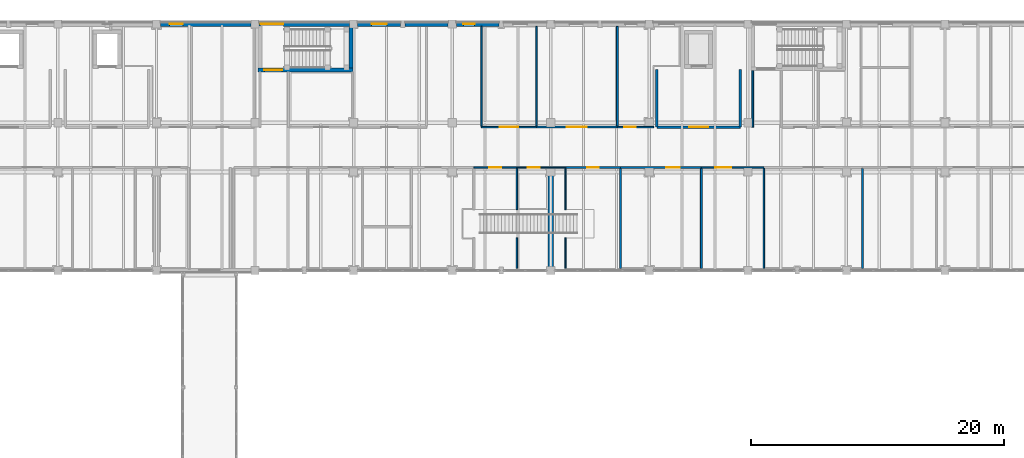
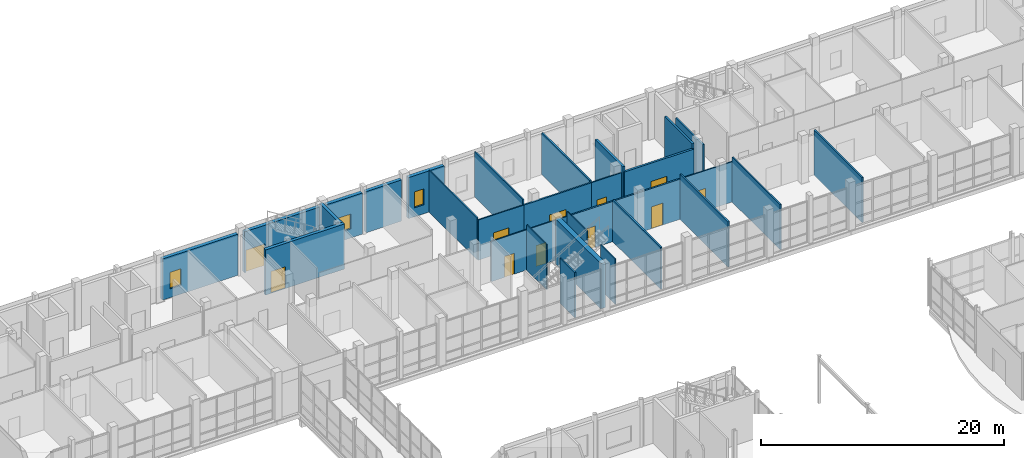
# One storey, part 101 of 131: 31 walls, 11 doors, 3 windows, 14 openings.
"""IFC4 building model written with IfcOpenShell, lengths in metres."""

from ifc_helpers import new_model, si_unit, direction, frame, frame_2d, origin, place, context, subcontext, project, spatial, rectangle, extrude, material, layer, layer_set, type_object, element, fill, save


model = new_model("IFC4")

# Units and contexts
model_context = context("Model", 3, precision=1e-05, world=origin(), true_north=direction((0.0, 1.0)))
body_context = subcontext(model_context, "Body", "Model", "MODEL_VIEW")
ifc_project = project(units=[si_unit("LENGTHUNIT", "METRE"), si_unit("AREAUNIT", "SQUARE_METRE"), si_unit("VOLUMEUNIT", "CUBIC_METRE"), si_unit("PLANEANGLEUNIT", "RADIAN"), si_unit("MASSUNIT", "GRAM", prefix="KILO")], contexts=[model_context])

# Site, building, storey
site_placement = place(None, origin())
site = spatial("IfcSite", under=ifc_project, at=site_placement, CompositionType="ELEMENT")
building_placement = place(site_placement, origin())
building = spatial("IfcBuilding", under=site, at=building_placement, Name="Celorna Specialist Clinic", CompositionType="ELEMENT")
storey_placement = place(building_placement, origin())
storey = spatial("IfcBuildingStorey", under=building, at=storey_placement, Name="L00", CompositionType="ELEMENT", Elevation=0.0)

# Wall
ifc_material_1 = material(Name="Concrete C40/50", Category="concrete")
ifc_layer_1 = layer(ifc_material_1, 0.449951171875, Name="Concrete C40/50")
ifc_layer_set_1 = layer_set([ifc_layer_1], Name="Concrete C40/50")
wall_type_1 = type_object("IfcWallType", Name="WT-04", PredefinedType="SHEAR", material=ifc_layer_set_1)
wall_1_placement = place(storey_placement, frame((101.39990234375, 96.68994140625, 0.0), z_axis=(0.0, 0.0, 1.0), x_axis=(0.0, 1.0, 0.0)))
element("IfcWall", 1, at=wall_1_placement, inside=storey, type_object=wall_type_1, Name="Structural RC shear wall WT-04 V4 L00", PredefinedType="SHEAR", context=body_context, shape_type="SweptSolid", body=[
    extrude(rectangle(XDim=7.4599609375, YDim=0.449951171875, at=frame_2d((3.72998046875, 0.0))), origin(), (0.0, 0.0, 1.0), 4.5400390625),
])

# Wall, opening, window
ifc_material_2 = material(Name="Pero Pinheiro Lioz limestone insulated masonry", Category="masonry")
ifc_layer_2 = layer(ifc_material_2, 0.340087890625, Name="Pero Pinheiro Lioz limestone insulated masonry")
ifc_layer_set_2 = layer_set([ifc_layer_2], Name="Pero Pinheiro Lioz limestone insulated masonry")
wall_type_2 = type_object("IfcWallType", Name="WT-07", PredefinedType="STANDARD", material=ifc_layer_set_2)
wall_2_placement = place(storey_placement, frame((70.52490234375, 116.0, 0.0), z_axis=(0.0, 0.0, 1.0), x_axis=(1.0, 0.0, 0.0)))
wall_2 = element("IfcWall", 2, at=wall_2_placement, inside=storey, type_object=wall_type_2, Name="External facade wall WT-07 #165", PredefinedType="STANDARD", context=body_context, shape_type="SweptSolid", body=[
    extrude(rectangle(XDim=7.150146484375, YDim=0.340087890625, at=frame_2d((3.5751953125, 0.0))), origin(), (0.0, 0.0, 1.0), 4.139892578125),
])
opening_1_placement = place(wall_2_placement, frame((0.70751953125, 0.0, 0.89990234375)))
opening_1 = element("IfcOpeningElement", 3, at=opening_1_placement, cuts=wall_2, Name="Opening WN-21", PredefinedType="OPENING", context=body_context, shape_type="SweptSolid", body=[
    extrude(rectangle(XDim=1.050048828125, YDim=1.64990234375, at=frame_2d((0.52490234375, 0.824951171875))), frame((0.0, 0.179931640625, 0.0), z_axis=(0.0, -1.0, 0.0), x_axis=(1.0, 0.0, 0.0)), (0.0, 0.0, 1.0), 0.360107421875),
])
ifc_material_3 = material(Name="Thermally broken aluminium triple-glazed window", Category="aluminium")
window_type_1 = type_object("IfcWindowType", Name="WN-21", PartitioningType="SINGLE_PANEL", PredefinedType="WINDOW", material=ifc_material_3)
window_1_placement = place(opening_1_placement, origin())
window_1 = element("IfcWindow", 4, at=window_1_placement, inside=storey, type_object=window_type_1, Name="Facade window WN-21 #60", OverallHeight=1.64990234375, OverallWidth=1.050048828125, PartitioningType="SINGLE_PANEL", PredefinedType="WINDOW", context=body_context, shape_type="SweptSolid", body=[
    extrude(rectangle(XDim=1.050048828125, YDim=1.64990234375, at=frame_2d((0.52490234375, 0.824951171875))), frame((0.0, 0.030029296875, 0.0), z_axis=(0.0, -1.0, 0.0), x_axis=(1.0, 0.0, 0.0)), (0.0, 0.0, 1.0), 0.06005859375),
])
fill(opening_1, window_1)

# Wall, opening, door
wall_3_placement = place(storey_placement, frame((78.324951171875, 116.0, 0.0), z_axis=(0.0, 0.0, 1.0), x_axis=(1.0, 0.0, 0.0)))
wall_3 = element("IfcWall", 5, at=wall_3_placement, inside=storey, type_object=wall_type_2, Name="External facade wall WT-07 #166", PredefinedType="STANDARD", context=body_context, shape_type="SweptSolid", body=[
    extrude(rectangle(XDim=7.150146484375, YDim=0.340087890625, at=frame_2d((3.5751953125, 0.0))), origin(), (0.0, 0.0, 1.0), 4.139892578125),
])
opening_2_placement = place(wall_3_placement, frame((0.1201171875, 0.0, 0.0)))
opening_2 = element("IfcOpeningElement", 6, at=opening_2_placement, cuts=wall_3, Name="Opening DR-14", PredefinedType="OPENING", context=body_context, shape_type="SweptSolid", body=[
    extrude(rectangle(XDim=1.800048828125, YDim=2.25, at=frame_2d((0.89990234375, 1.125))), frame((0.0, 0.179931640625, 0.0), z_axis=(0.0, -1.0, 0.0), x_axis=(1.0, 0.0, 0.0)), (0.0, 0.0, 1.0), 0.360107421875),
])
ifc_material_4 = material(Name="Glazed aluminium final exit double door", Category="aluminium")
door_type_1 = type_object("IfcDoorType", Name="DR-14", OperationType="DOUBLE_DOOR_SINGLE_SWING", PredefinedType="DOOR", material=ifc_material_4)
door_1_placement = place(opening_2_placement, origin())
door_1 = element("IfcDoor", 7, at=door_1_placement, inside=storey, type_object=door_type_1, Name="Pedestrian final exit E02", OperationType="DOUBLE_DOOR_SINGLE_SWING", OverallHeight=2.25, OverallWidth=1.800048828125, PredefinedType="DOOR", context=body_context, shape_type="SweptSolid", body=[
    extrude(rectangle(XDim=1.800048828125, YDim=2.25, at=frame_2d((0.89990234375, 1.125))), frame((0.0, 0.02490234375, 0.0), z_axis=(0.0, -1.0, 0.0), x_axis=(1.0, 0.0, 0.0)), (0.0, 0.0, 1.0), 0.050048828125),
])
fill(opening_2, door_1)

# Wall, opening, window
wall_4_placement = place(storey_placement, frame((86.125, 116.0, 0.0), z_axis=(0.0, 0.0, 1.0), x_axis=(1.0, 0.0, 0.0)))
wall_4 = element("IfcWall", 8, at=wall_4_placement, inside=storey, type_object=wall_type_2, Name="External facade wall WT-07 #167", PredefinedType="STANDARD", context=body_context, shape_type="SweptSolid", body=[
    extrude(rectangle(XDim=3.39990234375, YDim=0.340087890625, at=frame_2d((1.699951171875, 0.0))), origin(), (0.0, 0.0, 1.0), 4.139892578125),
])
opening_3_placement = place(wall_4_placement, frame((1.10009765625, 0.0, 0.89990234375)))
opening_3 = element("IfcOpeningElement", 9, at=opening_3_placement, cuts=wall_4, Name="Opening WN-04", PredefinedType="OPENING", context=body_context, shape_type="SweptSolid", body=[
    extrude(rectangle(XDim=1.199951171875, YDim=1.5, at=frame_2d((0.60009765625, 0.75))), frame((0.0, 0.179931640625, 0.0), z_axis=(0.0, -1.0, 0.0), x_axis=(1.0, 0.0, 0.0)), (0.0, 0.0, 1.0), 0.360107421875),
])
window_type_2 = type_object("IfcWindowType", Name="WN-04", PartitioningType="SINGLE_PANEL", PredefinedType="WINDOW", material=ifc_material_3)
window_2_placement = place(opening_3_placement, origin())
window_2 = element("IfcWindow", 10, at=window_2_placement, inside=storey, type_object=window_type_2, Name="Facade window WN-04 #61", OverallHeight=1.5, OverallWidth=1.199951171875, PartitioningType="SINGLE_PANEL", PredefinedType="WINDOW", context=body_context, shape_type="SweptSolid", body=[
    extrude(rectangle(XDim=1.199951171875, YDim=1.5, at=frame_2d((0.60009765625, 0.75))), frame((0.0, 0.030029296875, 0.0), z_axis=(0.0, -1.0, 0.0), x_axis=(1.0, 0.0, 0.0)), (0.0, 0.0, 1.0), 0.06005859375),
])
fill(opening_3, window_2)

# Wall
wall_5_placement = place(storey_placement, frame((89.875, 116.0, 0.0), z_axis=(0.0, 0.0, 1.0), x_axis=(1.0, 0.0, 0.0)))
element("IfcWall", 11, at=wall_5_placement, inside=storey, type_object=wall_type_2, Name="External facade wall WT-07 #168", PredefinedType="STANDARD", context=body_context, shape_type="SweptSolid", body=[
    extrude(rectangle(XDim=3.39990234375, YDim=0.340087890625, at=frame_2d((1.699951171875, 0.0))), origin(), (0.0, 0.0, 1.0), 4.139892578125),
])

# Wall, opening, window
wall_6_placement = place(storey_placement, frame((93.925048828125, 116.0, 0.0), z_axis=(0.0, 0.0, 1.0), x_axis=(1.0, 0.0, 0.0)))
wall_6 = element("IfcWall", 12, at=wall_6_placement, inside=storey, type_object=wall_type_2, Name="External facade wall WT-07 #169", PredefinedType="STANDARD", context=body_context, shape_type="SweptSolid", body=[
    extrude(rectangle(XDim=3.39990234375, YDim=0.340087890625, at=frame_2d((1.699951171875, 0.0))), origin(), (0.0, 0.0, 1.0), 4.139892578125),
])
opening_4_placement = place(wall_6_placement, frame((0.5576171875, 0.0, 0.89990234375)))
opening_4 = element("IfcOpeningElement", 13, at=opening_4_placement, cuts=wall_6, Name="Opening WN-01", PredefinedType="OPENING", context=body_context, shape_type="SweptSolid", body=[
    extrude(rectangle(XDim=0.89990234375, YDim=1.60009765625, at=frame_2d((0.449951171875, 0.800048828125))), frame((0.0, 0.179931640625, 0.0), z_axis=(0.0, -1.0, 0.0), x_axis=(1.0, 0.0, 0.0)), (0.0, 0.0, 1.0), 0.360107421875),
])
window_type_3 = type_object("IfcWindowType", Name="WN-01", PartitioningType="SINGLE_PANEL", PredefinedType="WINDOW", material=ifc_material_3)
window_3_placement = place(opening_4_placement, origin())
window_3 = element("IfcWindow", 14, at=window_3_placement, inside=storey, type_object=window_type_3, Name="Facade window WN-01 #62", OverallHeight=1.60009765625, OverallWidth=0.89990234375, PartitioningType="SINGLE_PANEL", PredefinedType="WINDOW", context=body_context, shape_type="SweptSolid", body=[
    extrude(rectangle(XDim=0.89990234375, YDim=1.60009765625, at=frame_2d((0.449951171875, 0.800048828125))), frame((0.0, 0.030029296875, 0.0), z_axis=(0.0, -1.0, 0.0), x_axis=(1.0, 0.0, 0.0)), (0.0, 0.0, 1.0), 0.06005859375),
])
fill(opening_4, window_3)

# Wall, opening, door
ifc_material_5 = material(Name="Concrete C35/45", Category="concrete")
ifc_layer_3 = layer(ifc_material_5, 0.300048828125, Name="Concrete C35/45")
ifc_layer_set_3 = layer_set([ifc_layer_3], Name="Concrete C35/45")
wall_type_3 = type_object("IfcWallType", Name="WT-08", PredefinedType="SHEAR", material=ifc_layer_set_3)
wall_7_placement = place(storey_placement, frame((78.239990234375, 112.3701171875, 0.0), z_axis=(0.0, 0.0, 1.0), x_axis=(1.0, 0.0, 0.0)))
wall_7 = element("IfcWall", 15, at=wall_7_placement, inside=storey, type_object=wall_type_3, Name="Stair ST-02 RC core wall L00 south", PredefinedType="SHEAR", context=body_context, shape_type="SweptSolid", body=[
    extrude(rectangle(XDim=7.5, YDim=0.300048828125, at=frame_2d((3.75, 0.0))), origin(), (0.0, 0.0, 1.0), 4.5400390625),
])
opening_5_placement = place(wall_7_placement, frame((0.5, 0.0, 0.0)))
opening_5 = element("IfcOpeningElement", 16, at=opening_5_placement, cuts=wall_7, Name="Opening DR-10", PredefinedType="OPENING", context=body_context, shape_type="SweptSolid", body=[
    extrude(rectangle(XDim=1.39990234375, YDim=2.199951171875, at=frame_2d((0.699951171875, 1.10009765625))), frame((0.0, 0.159912109375, 0.0), z_axis=(0.0, -1.0, 0.0), x_axis=(1.0, 0.0, 0.0)), (0.0, 0.0, 1.0), 0.320068359375),
])
ifc_material_6 = material(Name="Protected exit stair fire door")
door_type_2 = type_object("IfcDoorType", Name="DR-10", OperationType="NOTDEFINED", PredefinedType="DOOR", material=ifc_material_6)
door_2_placement = place(opening_5_placement, origin())
door_2 = element("IfcDoor", 17, at=door_2_placement, inside=storey, type_object=door_type_2, Name="Protected exit stair door ST-02 L00", OperationType="SINGLE_SWING_RIGHT", OverallHeight=2.199951171875, OverallWidth=1.39990234375, PredefinedType="DOOR", context=body_context, shape_type="SweptSolid", body=[
    extrude(rectangle(XDim=1.39990234375, YDim=2.199951171875, at=frame_2d((0.699951171875, 1.10009765625))), frame((0.0, 0.02490234375, 0.0), z_axis=(0.0, -1.0, 0.0), x_axis=(1.0, 0.0, 0.0)), (0.0, 0.0, 1.0), 0.050048828125),
])
fill(opening_5, door_2)

# Wall
wall_8_placement = place(storey_placement, frame((85.590087890625, 112.52001953125, 0.0), z_axis=(0.0, 0.0, 1.0), x_axis=(0.0, 1.0, 0.0)))
element("IfcWall", 18, at=wall_8_placement, inside=storey, type_object=wall_type_3, Name="Stair ST-02 RC core wall L00 east", PredefinedType="SHEAR", context=body_context, shape_type="SweptSolid", body=[
    extrude(rectangle(XDim=3.330078125, YDim=0.300048828125, at=frame_2d((1.6650390625, 0.0))), origin(), (0.0, 0.0, 1.0), 4.5400390625),
])

# Wall, opening, door
ifc_layer_4 = layer(ifc_material_5, 0.199951171875, Name="Concrete C35/45")
ifc_layer_set_4 = layer_set([ifc_layer_4], Name="Concrete C35/45")
wall_type_4 = type_object("IfcWallType", Name="WT-12", PredefinedType="SOLIDWALL", material=ifc_layer_set_4)
wall_9_placement = place(storey_placement, frame((109.800048828125, 107.85009765625, 0.0), z_axis=(0.0, 0.0, 1.0), x_axis=(1.0, 0.0, 0.0)))
wall_9 = element("IfcWall", 19, at=wall_9_placement, inside=storey, type_object=wall_type_4, Name="Lift lobby wall LF-03 L00", PredefinedType="SOLIDWALL", context=body_context, shape_type="SweptSolid", body=[
    extrude(rectangle(XDim=6.599853515625, YDim=0.199951171875, at=frame_2d((3.2998046875, 0.0))), origin(), (0.0, 0.0, 1.0), 4.0400390625),
])
opening_6_placement = place(wall_9_placement, frame((2.550048828125, 0.0, 0.0)))
opening_6 = element("IfcOpeningElement", 20, at=opening_6_placement, cuts=wall_9, Name="Opening DR-11", PredefinedType="OPENING", context=body_context, shape_type="SweptSolid", body=[
    extrude(rectangle(XDim=1.5, YDim=2.199951171875, at=frame_2d((0.75, 1.10009765625))), frame((0.0, 0.10986328125, 0.0), z_axis=(0.0, -1.0, 0.0), x_axis=(1.0, 0.0, 0.0)), (0.0, 0.0, 1.0), 0.219970703125),
])
ifc_material_7 = material(Name="Firefighting lobby double fire door")
door_type_3 = type_object("IfcDoorType", Name="DR-11", OperationType="DOUBLE_DOOR_SINGLE_SWING", PredefinedType="DOOR", material=ifc_material_7)
door_3_placement = place(opening_6_placement, origin())
door_3 = element("IfcDoor", 21, at=door_3_placement, inside=storey, type_object=door_type_3, Name="Lift lobby fire door LF-03 L00", OperationType="DOUBLE_DOOR_SINGLE_SWING", OverallHeight=2.199951171875, OverallWidth=1.5, PredefinedType="DOOR", context=body_context, shape_type="SweptSolid", body=[
    extrude(rectangle(XDim=1.5, YDim=2.199951171875, at=frame_2d((0.75, 1.10009765625))), frame((0.0, 0.02490234375, 0.0), z_axis=(0.0, -1.0, 0.0), x_axis=(1.0, 0.0, 0.0)), (0.0, 0.0, 1.0), 0.050048828125),
])
fill(opening_6, door_3)

# Walls
for number, where, z_axis, x_axis, name in (
    (22, (109.800048828125, 112.39990234375, 0.0), (0.0, 0.0, 1.0), (0.0, -1.0, 0.0), "Lift lobby wall LF-03 L00"),
    (23, (116.39990234375, 107.85009765625, 0.0), (0.0, 0.0, 1.0), (0.0, 1.0, 0.0), "Lift lobby wall LF-03 L00"),
):
    element("IfcWall", number, at=place(storey_placement, frame(where, z_axis=z_axis, x_axis=x_axis)), inside=storey, type_object=wall_type_4, Name=name, PredefinedType="SOLIDWALL", context=body_context, shape_type="SweptSolid", body=[
        extrude(rectangle(XDim=4.5498046875, YDim=0.199951171875, at=frame_2d((2.27490234375, 0.0))), origin(), (0.0, 0.0, 1.0), 4.5400390625),
    ])
ifc_material_8 = material(Name="Fire-rated gypsum board partition")
ifc_layer_5 = layer(ifc_material_8, 0.14990234375, Name="Fire-rated gypsum board partition")
ifc_layer_set_5 = layer_set([ifc_layer_5], Name="Fire-rated gypsum board partition")
wall_type_5 = type_object("IfcWallType", Name="WT-14", PredefinedType="PARTITIONING", material=ifc_layer_set_5)
wall_10_placement = place(storey_placement, frame((117.389892578125, 107.85009765625, 0.0), z_axis=(0.0, 0.0, 1.0), x_axis=(0.0, 1.0, 0.0)))
element("IfcWall", 24, at=wall_10_placement, inside=storey, type_object=wall_type_5, Name="Corridor spur partition WT-14", PredefinedType="PARTITIONING", context=body_context, shape_type="SweptSolid", body=[
    extrude(rectangle(XDim=4.469970703125, YDim=0.14990234375, at=frame_2d((2.23486328125, 0.0))), origin(), (0.0, 0.0, 1.0), 4.090087890625),
])

# Wall, opening, door
wall_11_placement = place(storey_placement, frame((106.919921875, 104.64990234375, 0.0), z_axis=(0.0, 0.0, 1.0), x_axis=(-1.0, 0.0, 0.0)))
wall_11 = element("IfcWall", 25, at=wall_11_placement, inside=storey, type_object=wall_type_5, Name="Interior partition WT-14 L00-061", PredefinedType="PARTITIONING", context=body_context, shape_type="SweptSolid", body=[
    extrude(rectangle(XDim=4.349853515625, YDim=0.14990234375, at=frame_2d((2.1748046875, 0.0))), origin(), (0.0, 0.0, 1.0), 4.0400390625),
])
opening_7_placement = place(wall_11_placement, frame((1.715087890625, 0.0, 0.0)))
opening_7 = element("IfcOpeningElement", 26, at=opening_7_placement, cuts=wall_11, Name="Opening DR-20", PredefinedType="OPENING", context=body_context, shape_type="SweptSolid", body=[
    extrude(rectangle(XDim=0.919921875, YDim=2.14990234375, at=frame_2d((0.4599609375, 1.074951171875))), frame((0.0, 0.0849609375, 0.0), z_axis=(0.0, -1.0, 0.0), x_axis=(1.0, 0.0, 0.0)), (0.0, 0.0, 1.0), 0.169921875),
])
ifc_material_9 = material(Name="Timber clinical consultation door", Category="wood")
door_type_4 = type_object("IfcDoorType", Name="DR-20", OperationType="NOTDEFINED", PredefinedType="DOOR", material=ifc_material_9)
door_4_placement = place(opening_7_placement, origin())
door_4 = element("IfcDoor", 27, at=door_4_placement, inside=storey, type_object=door_type_4, Name="Outpatient Clinic door L00-061", OperationType="SINGLE_SWING_LEFT", OverallHeight=2.14990234375, OverallWidth=0.919921875, PredefinedType="DOOR", context=body_context, shape_type="SweptSolid", body=[
    extrude(rectangle(XDim=0.919921875, YDim=2.14990234375, at=frame_2d((0.4599609375, 1.074951171875))), frame((0.0, 0.02490234375, 0.0), z_axis=(0.0, -1.0, 0.0), x_axis=(1.0, 0.0, 0.0)), (0.0, 0.0, 1.0), 0.050048828125),
])
fill(opening_7, door_4)

wall_12_placement = place(storey_placement, frame((113.320068359375, 104.64990234375, 0.0), z_axis=(0.0, 0.0, 1.0), x_axis=(-1.0, 0.0, 0.0)))
wall_12 = element("IfcWall", 28, at=wall_12_placement, inside=storey, type_object=wall_type_5, Name="Interior partition WT-14 L00-062", PredefinedType="PARTITIONING", context=body_context, shape_type="SweptSolid", body=[
    extrude(rectangle(XDim=6.400146484375, YDim=0.14990234375, at=frame_2d((3.2001953125, 0.0))), origin(), (0.0, 0.0, 1.0), 4.0400390625),
])
opening_8_placement = place(wall_12_placement, frame((1.699951171875, 0.0, 0.0)))
opening_8 = element("IfcOpeningElement", 29, at=opening_8_placement, cuts=wall_12, Name="Opening DR-21", PredefinedType="OPENING", context=body_context, shape_type="SweptSolid", body=[
    extrude(rectangle(XDim=1.080078125, YDim=2.199951171875, at=frame_2d((0.5400390625, 1.10009765625))), frame((0.0, 0.0849609375, 0.0), z_axis=(0.0, -1.0, 0.0), x_axis=(1.0, 0.0, 0.0)), (0.0, 0.0, 1.0), 0.169921875),
])
ifc_material_10 = material(Name="Timber outpatient suite door", Category="wood")
door_type_5 = type_object("IfcDoorType", Name="DR-21", OperationType="NOTDEFINED", PredefinedType="DOOR", material=ifc_material_10)
door_5_placement = place(opening_8_placement, origin())
door_5 = element("IfcDoor", 30, at=door_5_placement, inside=storey, type_object=door_type_5, Name="Consulting Room door L00-062", OperationType="SINGLE_SWING_RIGHT", OverallHeight=2.199951171875, OverallWidth=1.080078125, PredefinedType="DOOR", context=body_context, shape_type="SweptSolid", body=[
    extrude(rectangle(XDim=1.080078125, YDim=2.199951171875, at=frame_2d((0.5400390625, 1.10009765625))), frame((0.0, 0.02490234375, 0.0), z_axis=(0.0, -1.0, 0.0), x_axis=(1.0, 0.0, 0.0)), (0.0, 0.0, 1.0), 0.050048828125),
])
fill(opening_8, door_5)

wall_13_placement = place(storey_placement, frame((100.27001953125, 107.85009765625, 0.0), z_axis=(0.0, 0.0, 1.0), x_axis=(1.0, 0.0, 0.0)))
wall_13 = element("IfcWall", 31, at=wall_13_placement, inside=storey, type_object=wall_type_5, Name="Interior partition WT-14 L00-077", PredefinedType="PARTITIONING", context=body_context, shape_type="SweptSolid", body=[
    extrude(rectangle(XDim=6.39990234375, YDim=0.14990234375, at=frame_2d((3.199951171875, 0.0))), origin(), (0.0, 0.0, 1.0), 4.0400390625),
])
opening_9_placement = place(wall_13_placement, frame((2.39990234375, 0.0, 0.0)))
opening_9 = element("IfcOpeningElement", 32, at=opening_9_placement, cuts=wall_13, Name="Opening DR-12", PredefinedType="OPENING", context=body_context, shape_type="SweptSolid", body=[
    extrude(rectangle(XDim=1.60009765625, YDim=2.199951171875, at=frame_2d((0.800048828125, 1.10009765625))), frame((0.0, 0.0849609375, 0.0), z_axis=(0.0, -1.0, 0.0), x_axis=(1.0, 0.0, 0.0)), (0.0, 0.0, 1.0), 0.169921875),
])
ifc_material_11 = material(Name="Corridor cross-compartment pair door")
door_type_6 = type_object("IfcDoorType", Name="DR-12", OperationType="DOUBLE_DOOR_SINGLE_SWING", PredefinedType="DOOR", material=ifc_material_11)
door_6_placement = place(opening_9_placement, origin())
door_6 = element("IfcDoor", 33, at=door_6_placement, inside=storey, type_object=door_type_6, Name="Outpatient Waiting Lounge door L00-077", OperationType="DOUBLE_DOOR_SINGLE_SWING", OverallHeight=2.199951171875, OverallWidth=1.60009765625, PredefinedType="DOOR", context=body_context, shape_type="SweptSolid", body=[
    extrude(rectangle(XDim=1.60009765625, YDim=2.199951171875, at=frame_2d((0.800048828125, 1.10009765625))), frame((0.0, 0.02490234375, 0.0), z_axis=(0.0, -1.0, 0.0), x_axis=(1.0, 0.0, 0.0)), (0.0, 0.0, 1.0), 0.050048828125),
])
fill(opening_9, door_6)

# Walls
wall_14_placement = place(storey_placement, frame((106.919921875, 96.669921875, 0.0), z_axis=(0.0, 0.0, 1.0), x_axis=(0.0, 1.0, 0.0)))
element("IfcWall", 34, at=wall_14_placement, inside=storey, type_object=wall_type_5, Name="Room dividing partition WT-14 L00-061", PredefinedType="PARTITIONING", context=body_context, shape_type="SweptSolid", body=[
    extrude(rectangle(XDim=7.905029296875, YDim=0.14990234375, at=frame_2d((3.95263671875, 0.0))), origin(), (0.0, 0.0, 1.0), 4.2099609375),
])
for number, where, z_axis, x_axis, name in (
    (35, (113.320068359375, 96.669921875, 0.0), (0.0, 0.0, 1.0), (0.0, 1.0, 0.0), "Room dividing partition WT-14 L00-062"),
    (36, (126.070068359375, 96.669921875, 0.0), (0.0, 0.0, 1.0), (0.0, 1.0, 0.0), "Room dividing partition WT-14 L00-064"),
):
    element("IfcWall", number, at=place(storey_placement, frame(where, z_axis=z_axis, x_axis=x_axis)), inside=storey, type_object=wall_type_5, Name=name, PredefinedType="PARTITIONING", context=body_context, shape_type="SweptSolid", body=[
        extrude(rectangle(XDim=7.905029296875, YDim=0.14990234375, at=frame_2d((3.95263671875, 0.0))), origin(), (0.0, 0.0, 1.0), 4.5400390625),
    ])
wall_15_placement = place(storey_placement, frame((106.669921875, 107.925048828125, 0.0), z_axis=(0.0, 0.0, 1.0), x_axis=(0.0, 1.0, 0.0)))
element("IfcWall", 37, at=wall_15_placement, inside=storey, type_object=wall_type_5, Name="Room dividing partition WT-14 L00-077", PredefinedType="PARTITIONING", context=body_context, shape_type="SweptSolid", body=[
    extrude(rectangle(XDim=7.905029296875, YDim=0.14990234375, at=frame_2d((3.95263671875, 0.0))), origin(), (0.0, 0.0, 1.0), 4.2099609375),
])

# Wall, opening, door
ifc_material_12 = material(Name="Acoustic gypsum board partition")
ifc_layer_6 = layer(ifc_material_12, 0.1201171875, Name="Acoustic gypsum board partition")
ifc_layer_set_6 = layer_set([ifc_layer_6], Name="Acoustic gypsum board partition")
wall_type_6 = type_object("IfcWallType", Name="WT-15", PredefinedType="PARTITIONING", material=ifc_layer_set_6)
wall_16_placement = place(storey_placement, frame((98.719970703125, 104.64990234375, 0.0), z_axis=(0.0, 0.0, 1.0), x_axis=(-1.0, 0.0, 0.0)))
wall_16 = element("IfcWall", 38, at=wall_16_placement, inside=storey, type_object=wall_type_6, Name="Interior partition WT-15 L00-059", PredefinedType="PARTITIONING", context=body_context, shape_type="SweptSolid", body=[
    extrude(rectangle(XDim=3.39990234375, YDim=0.1201171875, at=frame_2d((1.699951171875, 0.0))), origin(), (0.0, 0.0, 1.0), 4.0400390625),
])
opening_10_placement = place(wall_16_placement, frame((1.22509765625, 0.0, 0.0)))
opening_10 = element("IfcOpeningElement", 39, at=opening_10_placement, cuts=wall_16, Name="Opening DR-03", PredefinedType="OPENING", context=body_context, shape_type="SweptSolid", body=[
    extrude(rectangle(XDim=0.949951171875, YDim=2.10009765625, at=frame_2d((0.47509765625, 1.050048828125))), frame((0.0, 0.070068359375, 0.0), z_axis=(0.0, -1.0, 0.0), x_axis=(1.0, 0.0, 0.0)), (0.0, 0.0, 1.0), 0.14013671875),
])
ifc_material_13 = material(Name="Moisture-resistant accessible WC door")
door_type_7 = type_object("IfcDoorType", Name="DR-03", OperationType="NOTDEFINED", PredefinedType="DOOR", material=ifc_material_13)
door_7_placement = place(opening_10_placement, origin())
door_7 = element("IfcDoor", 40, at=door_7_placement, inside=storey, type_object=door_type_7, Name="Public Male WC door L00-059", OperationType="SINGLE_SWING_LEFT", OverallHeight=2.10009765625, OverallWidth=0.949951171875, PredefinedType="DOOR", context=body_context, shape_type="SweptSolid", body=[
    extrude(rectangle(XDim=0.949951171875, YDim=2.10009765625, at=frame_2d((0.47509765625, 1.050048828125))), frame((0.0, 0.02490234375, 0.0), z_axis=(0.0, -1.0, 0.0), x_axis=(1.0, 0.0, 0.0)), (0.0, 0.0, 1.0), 0.050048828125),
])
fill(opening_10, door_7)

wall_17_placement = place(storey_placement, frame((118.27001953125, 104.64990234375, 0.0), z_axis=(0.0, 0.0, 1.0), x_axis=(-1.0, 0.0, 0.0)))
wall_17 = element("IfcWall", 41, at=wall_17_placement, inside=storey, type_object=wall_type_6, Name="Interior partition WT-15 L00-063", PredefinedType="PARTITIONING", context=body_context, shape_type="SweptSolid", body=[
    extrude(rectangle(XDim=4.949951171875, YDim=0.1201171875, at=frame_2d((2.47509765625, 0.0))), origin(), (0.0, 0.0, 1.0), 4.0400390625),
])
opening_11_placement = place(wall_17_placement, frame((2.577392578125, 0.0, 0.0)))
opening_11 = element("IfcOpeningElement", 42, at=opening_11_placement, cuts=wall_17, Name="Opening DR-22", PredefinedType="OPENING", context=body_context, shape_type="SweptSolid", body=[
    extrude(rectangle(XDim=1.280029296875, YDim=2.25, at=frame_2d((0.64013671875, 1.125))), frame((0.0, 0.070068359375, 0.0), z_axis=(0.0, -1.0, 0.0), x_axis=(1.0, 0.0, 0.0)), (0.0, 0.0, 1.0), 0.14013671875),
])
ifc_material_14 = material(Name="Diagnostic procedure room door")
door_type_8 = type_object("IfcDoorType", Name="DR-22", OperationType="NOTDEFINED", PredefinedType="DOOR", material=ifc_material_14)
door_8_placement = place(opening_11_placement, origin())
door_8 = element("IfcDoor", 43, at=door_8_placement, inside=storey, type_object=door_type_8, Name="Specialist Examination Room door L00-063", OperationType="SINGLE_SWING_LEFT", OverallHeight=2.25, OverallWidth=1.280029296875, PredefinedType="DOOR", context=body_context, shape_type="SweptSolid", body=[
    extrude(rectangle(XDim=1.280029296875, YDim=2.25, at=frame_2d((0.64013671875, 1.125))), frame((0.0, 0.02490234375, 0.0), z_axis=(0.0, -1.0, 0.0), x_axis=(1.0, 0.0, 0.0)), (0.0, 0.0, 1.0), 0.050048828125),
])
fill(opening_11, door_8)

wall_18_placement = place(storey_placement, frame((95.919921875, 107.85009765625, 0.0), z_axis=(0.0, 0.0, 1.0), x_axis=(1.0, 0.0, 0.0)))
wall_18 = element("IfcWall", 44, at=wall_18_placement, inside=storey, type_object=wall_type_6, Name="Interior partition WT-15 L00-076", PredefinedType="PARTITIONING", context=body_context, shape_type="SweptSolid", body=[
    extrude(rectangle(XDim=4.35009765625, YDim=0.1201171875, at=frame_2d((2.175048828125, 0.0))), origin(), (0.0, 0.0, 1.0), 4.0400390625),
])
opening_12_placement = place(wall_18_placement, frame((1.43505859375, 0.0, 0.0)))
opening_12 = element("IfcOpeningElement", 45, at=opening_12_placement, cuts=wall_18, Name="Opening DR-23", PredefinedType="OPENING", context=body_context, shape_type="SweptSolid", body=[
    extrude(rectangle(XDim=1.47998046875, YDim=2.25, at=frame_2d((0.739990234375, 1.125))), frame((0.0, 0.070068359375, 0.0), z_axis=(0.0, -1.0, 0.0), x_axis=(1.0, 0.0, 0.0)), (0.0, 0.0, 1.0), 0.14013671875),
])
ifc_material_15 = material(Name="Double leaf treatment room door")
door_type_9 = type_object("IfcDoorType", Name="DR-23", OperationType="DOUBLE_DOOR_SINGLE_SWING", PredefinedType="DOOR", material=ifc_material_15)
door_9_placement = place(opening_12_placement, origin())
door_9 = element("IfcDoor", 46, at=door_9_placement, inside=storey, type_object=door_type_9, Name="ECG and Vital Signs Triage Room door L00-076", OperationType="DOUBLE_DOOR_SINGLE_SWING", OverallHeight=2.25, OverallWidth=1.47998046875, PredefinedType="DOOR", context=body_context, shape_type="SweptSolid", body=[
    extrude(rectangle(XDim=1.47998046875, YDim=2.25, at=frame_2d((0.739990234375, 1.125))), frame((0.0, 0.02490234375, 0.0), z_axis=(0.0, -1.0, 0.0), x_axis=(1.0, 0.0, 0.0)), (0.0, 0.0, 1.0), 0.050048828125),
])
fill(opening_12, door_9)

wall_19_placement = place(storey_placement, frame((106.669921875, 107.85009765625, 0.0), z_axis=(0.0, 0.0, 1.0), x_axis=(1.0, 0.0, 0.0)))
wall_19 = element("IfcWall", 47, at=wall_19_placement, inside=storey, type_object=wall_type_6, Name="Interior partition WT-15 L00-078", PredefinedType="PARTITIONING", context=body_context, shape_type="SweptSolid", body=[
    extrude(rectangle(XDim=2.880126953125, YDim=0.1201171875, at=frame_2d((1.43994140625, 0.0))), origin(), (0.0, 0.0, 1.0), 4.0400390625),
])
opening_13_placement = place(wall_19_placement, frame((0.56494140625, 0.0, 0.0)))
opening_13 = element("IfcOpeningElement", 48, at=opening_13_placement, cuts=wall_19, Name="Opening DR-02", PredefinedType="OPENING", context=body_context, shape_type="SweptSolid", body=[
    extrude(rectangle(XDim=0.89990234375, YDim=2.10009765625, at=frame_2d((0.449951171875, 1.050048828125))), frame((0.0, 0.070068359375, 0.0), z_axis=(0.0, -1.0, 0.0), x_axis=(1.0, 0.0, 0.0)), (0.0, 0.0, 1.0), 0.14013671875),
])
ifc_material_16 = material(Name="Timber acoustic clinical door", Category="wood")
door_type_10 = type_object("IfcDoorType", Name="DR-02", OperationType="NOTDEFINED", PredefinedType="DOOR", material=ifc_material_16)
door_10_placement = place(opening_13_placement, origin())
door_10 = element("IfcDoor", 49, at=door_10_placement, inside=storey, type_object=door_type_10, Name="Clean Utility Room door L00-078", OperationType="SINGLE_SWING_RIGHT", OverallHeight=2.10009765625, OverallWidth=0.89990234375, PredefinedType="DOOR", context=body_context, shape_type="SweptSolid", body=[
    extrude(rectangle(XDim=0.89990234375, YDim=2.10009765625, at=frame_2d((0.449951171875, 1.050048828125))), frame((0.0, 0.02490234375, 0.0), z_axis=(0.0, -1.0, 0.0), x_axis=(1.0, 0.0, 0.0)), (0.0, 0.0, 1.0), 0.050048828125),
])
fill(opening_13, door_10)

# Walls
wall_20_placement = place(storey_placement, frame((98.719970703125, 96.669921875, 0.0), z_axis=(0.0, 0.0, 1.0), x_axis=(0.0, 1.0, 0.0)))
element("IfcWall", 50, at=wall_20_placement, inside=storey, type_object=wall_type_6, Name="Room dividing partition WT-15 L00-059", PredefinedType="PARTITIONING", context=body_context, shape_type="SweptSolid", body=[
    extrude(rectangle(XDim=2.405029296875, YDim=0.1201171875, at=frame_2d((1.20263671875, 0.0))), origin(), (0.0, 0.0, 1.0), 4.5400390625),
])
wall_21_placement = place(storey_placement, frame((98.719970703125, 101.324951171875, 0.0), z_axis=(0.0, 0.0, 1.0), x_axis=(0.0, 1.0, 0.0)))
element("IfcWall", 51, at=wall_21_placement, inside=storey, type_object=wall_type_6, Name="Room dividing partition WT-15 L00-059", PredefinedType="PARTITIONING", context=body_context, shape_type="SweptSolid", body=[
    extrude(rectangle(XDim=3.26513671875, YDim=0.1201171875, at=frame_2d((1.632568359375, 0.0))), origin(), (0.0, 0.0, 1.0), 4.5400390625),
])
wall_22_placement = place(storey_placement, frame((118.27001953125, 96.669921875, 0.0), z_axis=(0.0, 0.0, 1.0), x_axis=(0.0, 1.0, 0.0)))
element("IfcWall", 52, at=wall_22_placement, inside=storey, type_object=wall_type_6, Name="Room dividing partition WT-15 L00-063", PredefinedType="PARTITIONING", context=body_context, shape_type="SweptSolid", body=[
    extrude(rectangle(XDim=7.905029296875, YDim=0.1201171875, at=frame_2d((3.95263671875, 0.0))), origin(), (0.0, 0.0, 1.0), 4.5400390625),
])
wall_23_placement = place(storey_placement, frame((95.919921875, 107.909912109375, 0.0), z_axis=(0.0, 0.0, 1.0), x_axis=(0.0, 1.0, 0.0)))
element("IfcWall", 53, at=wall_23_placement, inside=storey, type_object=wall_type_6, Name="Room dividing partition WT-15 L00-076", PredefinedType="PARTITIONING", context=body_context, shape_type="SweptSolid", body=[
    extrude(rectangle(XDim=7.920166015625, YDim=0.1201171875, at=frame_2d((3.9599609375, 0.0))), origin(), (0.0, 0.0, 1.0), 4.2099609375),
])
wall_24_placement = place(storey_placement, frame((100.27001953125, 107.925048828125, 0.0), z_axis=(0.0, 0.0, 1.0), x_axis=(0.0, 1.0, 0.0)))
element("IfcWall", 54, at=wall_24_placement, inside=storey, type_object=wall_type_6, Name="Room dividing partition WT-15 L00-076", PredefinedType="PARTITIONING", context=body_context, shape_type="SweptSolid", body=[
    extrude(rectangle(XDim=7.905029296875, YDim=0.1201171875, at=frame_2d((3.95263671875, 0.0))), origin(), (0.0, 0.0, 1.0), 4.5400390625),
])

# Wall, opening, door
ifc_material_17 = material(Name="Moisture-resistant gypsum partition")
ifc_layer_7 = layer(ifc_material_17, 0.10009765625, Name="Moisture-resistant gypsum partition")
ifc_layer_set_7 = layer_set([ifc_layer_7], Name="Moisture-resistant gypsum partition")
wall_type_7 = type_object("IfcWallType", Name="WT-16", PredefinedType="PARTITIONING", material=ifc_layer_set_7)
wall_25_placement = place(storey_placement, frame((102.570068359375, 104.64990234375, 0.0), z_axis=(0.0, 0.0, 1.0), x_axis=(-1.0, 0.0, 0.0)))
wall_25 = element("IfcWall", 55, at=wall_25_placement, inside=storey, type_object=wall_type_7, Name="Interior partition WT-16 L00-060", PredefinedType="PARTITIONING", context=body_context, shape_type="SweptSolid", body=[
    extrude(rectangle(XDim=3.85009765625, YDim=0.10009765625, at=frame_2d((1.925048828125, 0.0))), origin(), (0.0, 0.0, 1.0), 4.0400390625),
])
opening_14_placement = place(wall_25_placement, frame((2.027587890625, 0.0, 0.0)))
opening_14 = element("IfcOpeningElement", 56, at=opening_14_placement, cuts=wall_25, Name="Opening DR-03", PredefinedType="OPENING", context=body_context, shape_type="SweptSolid", body=[
    extrude(rectangle(XDim=0.949951171875, YDim=2.10009765625, at=frame_2d((0.47509765625, 1.050048828125))), frame((0.0, 0.06005859375, 0.0), z_axis=(0.0, -1.0, 0.0), x_axis=(1.0, 0.0, 0.0)), (0.0, 0.0, 1.0), 0.1201171875),
])
door_11_placement = place(opening_14_placement, origin())
door_11 = element("IfcDoor", 57, at=door_11_placement, inside=storey, type_object=door_type_7, Name="Staff WC door L00-060", OperationType="SINGLE_SWING_RIGHT", OverallHeight=2.10009765625, OverallWidth=0.949951171875, PredefinedType="DOOR", context=body_context, shape_type="SweptSolid", body=[
    extrude(rectangle(XDim=0.949951171875, YDim=2.10009765625, at=frame_2d((0.47509765625, 1.050048828125))), frame((0.0, 0.02490234375, 0.0), z_axis=(0.0, -1.0, 0.0), x_axis=(1.0, 0.0, 0.0)), (0.0, 0.0, 1.0), 0.050048828125),
])
fill(opening_14, door_11)

# Walls
wall_26_placement = place(storey_placement, frame((102.570068359375, 96.669921875, 0.0), z_axis=(0.0, 0.0, 1.0), x_axis=(0.0, 1.0, 0.0)))
element("IfcWall", 58, at=wall_26_placement, inside=storey, type_object=wall_type_7, Name="Room dividing partition WT-16 L00-060", PredefinedType="PARTITIONING", context=body_context, shape_type="SweptSolid", body=[
    extrude(rectangle(XDim=2.405029296875, YDim=0.10009765625, at=frame_2d((1.20263671875, 0.0))), origin(), (0.0, 0.0, 1.0), 4.5400390625),
])
wall_27_placement = place(storey_placement, frame((102.570068359375, 101.324951171875, 0.0), z_axis=(0.0, 0.0, 1.0), x_axis=(0.0, 1.0, 0.0)))
element("IfcWall", 59, at=wall_27_placement, inside=storey, type_object=wall_type_7, Name="Room dividing partition WT-16 L00-060", PredefinedType="PARTITIONING", context=body_context, shape_type="SweptSolid", body=[
    extrude(rectangle(XDim=3.25, YDim=0.10009765625, at=frame_2d((1.625, 0.0))), origin(), (0.0, 0.0, 1.0), 4.5400390625),
])

save(model, "model.ifc")
